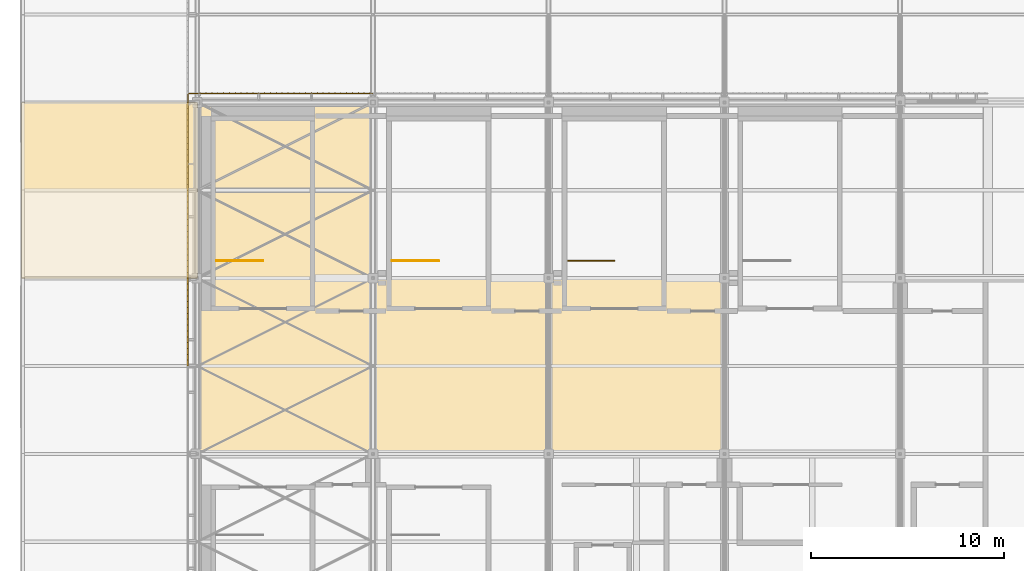
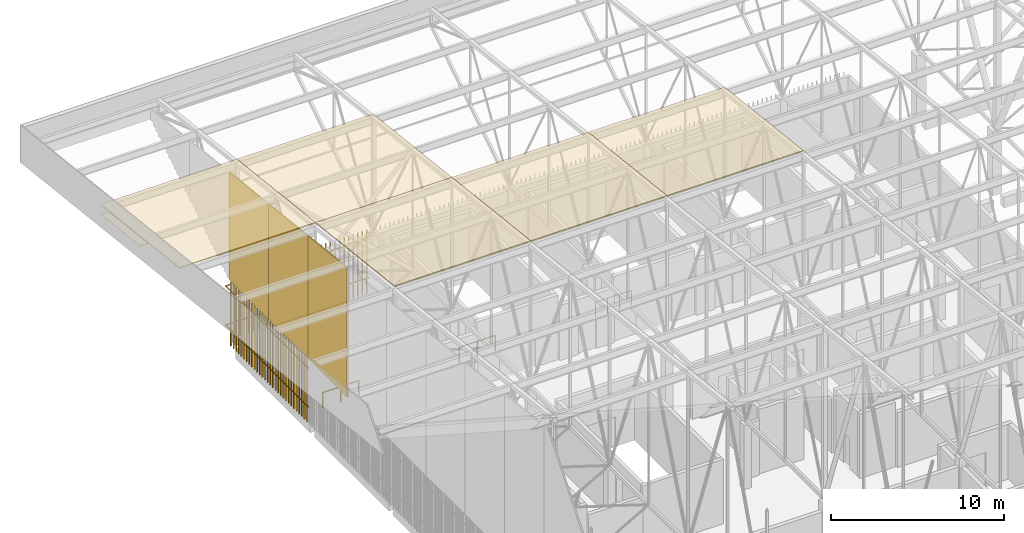
# One storey, part 474 of 500: 6 coverings, 5 shading devices, 3 railings.
"""IFC4 building model written with IfcOpenShell, lengths in metres."""

from ifc_helpers import new_model, si_unit, direction, frame, origin, origin_2d, place, context, subcontext, project, spatial, polyline, rectangle, circle, outline, extrude, material, layer, layer_set, type_object, element, save


model = new_model("IFC4")

# Units and contexts
model_context = context("Model", 3, precision=1e-05, world=origin(), true_north=direction((0.0, 1.0)))
body_context = subcontext(model_context, "Body", "Model", "MODEL_VIEW")
ifc_project = project(units=[si_unit("LENGTHUNIT", "METRE"), si_unit("AREAUNIT", "SQUARE_METRE"), si_unit("VOLUMEUNIT", "CUBIC_METRE"), si_unit("PLANEANGLEUNIT", "RADIAN"), si_unit("MASSUNIT", "GRAM", prefix="KILO")], contexts=[model_context])

# Site, building, storey
site_placement = place(None, origin())
site = spatial("IfcSite", under=ifc_project, at=site_placement, CompositionType="ELEMENT")
building_placement = place(site_placement, origin())
building = spatial("IfcBuilding", under=site, at=building_placement, Name="Shirokan Park Arena", CompositionType="ELEMENT")
storey_placement = place(building_placement, frame((0.0, 0.0, 29.1201171875)))
storey = spatial("IfcBuildingStorey", under=building, at=storey_placement, Name="L06", CompositionType="ELEMENT", Elevation=29.1201171875)

# Coverings
ifc_material_1 = material(Name="Bituminous roofing membrane")
ifc_layer_1 = layer(ifc_material_1, 0.010009765625, Name="Bituminous roofing membrane")
ifc_material_2 = material(Name="Mineral wool insulation")
ifc_layer_2 = layer(ifc_material_2, 0.050048828125, Name="Mineral wool insulation")
ifc_layer_set_1 = layer_set([ifc_layer_1, ifc_layer_2], Name="Bituminous roofing membrane + Mineral wool insulation")
covering_type_1 = type_object("IfcCoveringType", Name="Roofing membrane 60", PredefinedType="ROOFING", material=ifc_layer_set_1)
covering_1_placement = place(storey_placement, frame((-9.10009765625, 100.10009765625, 13.970703125), z_axis=(0.0, 0.113552605302, 0.993531985308), x_axis=(1.0, 0.0, 0.0)))
element("IfcCovering", 1, at=covering_1_placement, inside=storey, type_object=covering_type_1, Name="Roofing", PredefinedType="ROOFING", context=body_context, shape_type="SweptSolid", body=[
    extrude(outline(polyline([(0.0, 0.0), (9.10009765625, 0.0), (9.10009765625, 9.159094674549367), (0.0, 9.159094674549367), (0.0, 0.0)])), origin(), (0.0, 0.0, -1.0), 0.06005859375),
])
covering_2_placement = place(storey_placement, frame((0.0, 91.0, 15.0107421875), z_axis=(0.0, 0.113549598152, 0.993532328996), x_axis=(1.0, 0.0, 0.0)))
element("IfcCovering", 2, at=covering_2_placement, inside=storey, type_object=covering_type_1, Name="Roofing", PredefinedType="ROOFING", context=body_context, shape_type="SweptSolid", body=[
    extrude(outline(polyline([(0.0, 0.0), (9.10009765625, 0.0), (9.10009765625, 9.15933723611117), (0.0, 9.15933723611117), (0.0, 0.0)])), origin(), (0.0, 0.0, -1.0), 0.06005859375),
])
covering_3_placement = place(storey_placement, frame((0.0, 100.10009765625, 13.970703125), z_axis=(0.0, 0.113552605302, 0.993531985308), x_axis=(1.0, 0.0, 0.0)))
element("IfcCovering", 3, at=covering_3_placement, inside=storey, type_object=covering_type_1, Name="Roofing", PredefinedType="ROOFING", context=body_context, shape_type="SweptSolid", body=[
    extrude(outline(polyline([(0.0, 0.0), (9.10009765625, 0.0), (9.10009765625, 9.159094674549367), (0.0, 9.159094674549367), (0.0, 0.0)])), origin(), (0.0, 0.0, -1.0), 0.06005859375),
])
covering_4_placement = place(storey_placement, frame((9.10009765625, 91.0, 15.0107421875), z_axis=(0.0, 0.113549598152, 0.993532328996), x_axis=(1.0, 0.0, 0.0)))
element("IfcCovering", 4, at=covering_4_placement, inside=storey, type_object=covering_type_1, Name="Roofing", PredefinedType="ROOFING", context=body_context, shape_type="SweptSolid", body=[
    extrude(outline(polyline([(0.0, 0.0), (9.099853515625, 0.0), (9.099853515625, 9.15933723611117), (0.0, 9.15933723611117), (0.0, 0.0)])), origin(), (0.0, 0.0, -1.0), 0.06005859375),
])
covering_5_placement = place(storey_placement, frame((18.199951171875, 91.0, 15.0107421875), z_axis=(0.0, 0.113549598152, 0.993532328996), x_axis=(1.0, 0.0, 0.0)))
element("IfcCovering", 5, at=covering_5_placement, inside=storey, type_object=covering_type_1, Name="Roofing", PredefinedType="ROOFING", context=body_context, shape_type="SweptSolid", body=[
    extrude(outline(polyline([(0.0, 0.0), (9.10009765625, 0.0), (9.10009765625, 9.15933723611117), (0.0, 9.15933723611117), (0.0, 0.0)])), origin(), (0.0, 0.0, -1.0), 0.06005859375),
])

# Railings
ifc_material_3 = material(Name="Stainless steel", Category="steel")
railing_type = type_object("IfcRailingType", Name="Stair well guard 1100", PredefinedType="GUARDRAIL", material=ifc_material_3)
for number, where, name in (
    (6, (1.0, 101.0, 0.0), "Guard Exit Stair 4.A L06"),
    (7, (10.10009765625, 101.0, 0.0), "Guard Exit Stair 4.B L06"),
):
    element("IfcRailing", number, at=place(storey_placement, frame(where)), inside=storey, type_object=railing_type, Name=name, PredefinedType="GUARDRAIL", context=body_context, shape_type="SweptSolid", body=[
        extrude(circle(Radius=0.02490234375, at=origin_2d()), frame((0.0, 0.0, 1.0771484375), z_axis=(1.0, 0.0, 0.0), x_axis=(0.0, 1.0, 0.0)), (0.0, 0.0, 1.0), 2.39990234375),
        extrude(circle(Radius=0.02490234375, at=origin_2d()), origin(), (0.0, 0.0, 1.0), 1.052001953125),
        extrude(circle(Radius=0.02490234375, at=origin_2d()), frame((1.199951171875, 0.0, 0.0)), (0.0, 0.0, 1.0), 1.052001953125),
        extrude(circle(Radius=0.02490234375, at=origin_2d()), frame((2.39990234375, 0.0, 0.0)), (0.0, 0.0, 1.0), 1.052001953125),
    ])
railing_placement = place(storey_placement, frame((19.199951171875, 101.0, 0.0)))
element("IfcRailing", 8, at=railing_placement, inside=storey, type_object=railing_type, Name="Guard Exit Stair 4.C L06", PredefinedType="GUARDRAIL", context=body_context, shape_type="SweptSolid", body=[
    extrude(circle(Radius=0.02490234375, at=origin_2d()), frame((0.0, 0.0, 1.0771484375), z_axis=(1.0, 0.0, 0.0), x_axis=(0.0, 1.0, 0.0)), (0.0, 0.0, 1.0), 2.400146484375),
    extrude(circle(Radius=0.02490234375, at=origin_2d()), origin(), (0.0, 0.0, 1.0), 1.052001953125),
    extrude(circle(Radius=0.02490234375, at=origin_2d()), frame((0.800048828125, 0.0, 0.0)), (0.0, 0.0, 1.0), 1.052001953125),
    extrude(circle(Radius=0.02490234375, at=origin_2d()), frame((1.60009765625, 0.0, 0.0)), (0.0, 0.0, 1.0), 1.052001953125),
    extrude(circle(Radius=0.02490234375, at=origin_2d()), frame((2.400146484375, 0.0, 0.0)), (0.0, 0.0, 1.0), 1.052001953125),
])

# Covering
ifc_material_4 = material(Name="Timber soffit boards (cedar)", Category="wood")
ifc_layer_3 = layer(ifc_material_4, 0.030029296875)
ifc_layer_set_2 = layer_set([ifc_layer_3], Name="Timber soffit boards (cedar) 30 mm")
covering_type_2 = type_object("IfcCoveringType", Name="Timber boarded soffit panel", PredefinedType="CLADDING", material=ifc_layer_set_2)
covering_6_placement = place(storey_placement, origin())
element("IfcCovering", 9, at=covering_6_placement, inside=storey, type_object=covering_type_2, Name="Rake soffit west bay 26", PredefinedType="CLADDING", context=body_context, shape_type="SweptSolid", body=[
    extrude(outline(polyline([(0.0, 0.0), (0.11999999999999922, 0.0), (0.11999999999999922, -4.579617887990218), (0.0, -4.579617887990218), (0.0, 0.0)])), frame((-8.97998046875, 104.64990234375, 12.741943359375), z_axis=(0.0, 0.113546591161, 0.993532672656), x_axis=(-1.0, 0.0, 0.0)), (0.0, 0.0, -1.0), 0.030029296875),
    extrude(outline(polyline([(0.0, 0.0), (0.12, 0.0), (0.12, -4.579617887990218), (0.0, -4.579617887990218), (0.0, 0.0)])), frame((-0.2470703125, 109.199951171875, 12.221923828125), z_axis=(0.0, 0.113546591161, 0.993532672656), x_axis=(1.0, 0.0, 0.0)), (0.0, 0.0, -1.0), 0.030029296875),
    extrude(outline(polyline([(0.0, 0.0), (0.12078064455864267, 0.0), (0.12078064455864267, -8.733), (0.0, -8.733), (0.0, 0.0)])), frame((-0.2470703125, 109.199951171875, 12.221923828125), z_axis=(0.0, 0.11351156512, 0.993536675007), x_axis=(0.0, -0.993536675007, 0.11351156512)), (0.0, 0.0, -1.0), 0.030029296875),
    extrude(outline(polyline([(0.0, 0.0), (0.12078064455862855, 0.0), (0.12078064455862855, -8.733), (0.0, -8.733), (0.0, 0.0)])), frame((-8.97998046875, 104.64990234375, 12.741943359375), z_axis=(0.0, 0.11351156512, 0.993536675007), x_axis=(0.0, 0.993536675007, -0.11351156512)), (0.0, 0.0, -1.0), 0.030029296875),
    extrude(outline(polyline([(0.0, 0.0), (8.733, 0.0), (8.733, -0.18452428160000803), (0.0, -0.18452428160000803), (0.0, 0.0)])), frame((-8.97998046875, 104.953369140625, 12.707275390625), z_axis=(0.0, 0.113589386818, 0.99352778079), x_axis=(1.0, 0.0, 0.0)), (0.0, 0.0, -1.0), 0.030029296875),
    extrude(outline(polyline([(0.0, 0.0), (8.733, 0.0), (8.733, -0.3053137258624375), (0.0, -0.3053137258624375), (0.0, 0.0)])), frame((-8.97998046875, 105.256591796875, 12.672607421875), z_axis=(0.0, 0.113522573877, 0.993535417195), x_axis=(1.0, 0.0, 0.0)), (0.0, 0.0, -1.0), 0.030029296875),
    extrude(outline(polyline([(0.0, 0.0), (8.733, 0.0), (8.733, -0.30530492593471437), (0.0, -0.30530492593471437), (0.0, 0.0)])), frame((-8.97998046875, 105.56005859375, 12.637939453125), z_axis=(0.0, 0.113558600124, 0.99353130013), x_axis=(1.0, 0.0, 0.0)), (0.0, 0.0, -1.0), 0.030029296875),
    extrude(outline(polyline([(0.0, 0.0), (8.733, 0.0), (8.733, -0.3053049259347152), (0.0, -0.3053049259347152), (0.0, 0.0)])), frame((-8.97998046875, 105.86328125, 12.603271484375), z_axis=(0.0, 0.113558600124, 0.99353130013), x_axis=(1.0, 0.0, 0.0)), (0.0, 0.0, -1.0), 0.030029296875),
    extrude(outline(polyline([(0.0, 0.0), (8.733, 0.0), (8.733, -0.30531372586242256), (0.0, -0.30531372586242256), (0.0, 0.0)])), frame((-8.97998046875, 106.166748046875, 12.568603515625), z_axis=(0.0, 0.113522573877, 0.993535417195), x_axis=(1.0, 0.0, 0.0)), (0.0, 0.0, -1.0), 0.030029296875),
    extrude(outline(polyline([(0.0, 0.0), (8.733, 0.0), (8.733, -0.30530492593471437), (0.0, -0.30530492593471437), (0.0, 0.0)])), frame((-8.97998046875, 106.469970703125, 12.533935546875), z_axis=(0.0, 0.113558600124, 0.99353130013), x_axis=(1.0, 0.0, 0.0)), (0.0, 0.0, -1.0), 0.030029296875),
    extrude(outline(polyline([(0.0, 0.0), (8.733, 0.0), (8.733, -0.30530492593471514), (0.0, -0.30530492593471514), (0.0, 0.0)])), frame((-8.97998046875, 106.7734375, 12.499267578125), z_axis=(0.0, 0.113558600124, 0.99353130013), x_axis=(1.0, 0.0, 0.0)), (0.0, 0.0, -1.0), 0.030029296875),
    extrude(outline(polyline([(0.0, 0.0), (8.733, 0.0), (8.733, -0.30531372586242256), (0.0, -0.30531372586242256), (0.0, 0.0)])), frame((-8.97998046875, 107.07666015625, 12.464599609375), z_axis=(0.0, 0.113522573877, 0.993535417195), x_axis=(1.0, 0.0, 0.0)), (0.0, 0.0, -1.0), 0.030029296875),
    extrude(outline(polyline([(0.0, 0.0), (8.733, 0.0), (8.733, -0.3053049259347152), (0.0, -0.3053049259347152), (0.0, 0.0)])), frame((-8.97998046875, 107.3798828125, 12.429931640625), z_axis=(0.0, 0.113558600124, 0.99353130013), x_axis=(1.0, 0.0, 0.0)), (0.0, 0.0, -1.0), 0.030029296875),
    extrude(outline(polyline([(0.0, 0.0), (8.733, 0.0), (8.733, -0.30530492593471437), (0.0, -0.30530492593471437), (0.0, 0.0)])), frame((-8.97998046875, 107.683349609375, 12.395263671875), z_axis=(0.0, 0.113558600124, 0.99353130013), x_axis=(1.0, 0.0, 0.0)), (0.0, 0.0, -1.0), 0.030029296875),
    extrude(outline(polyline([(0.0, 0.0), (8.733, 0.0), (8.733, -0.3053137258624367), (0.0, -0.3053137258624367), (0.0, 0.0)])), frame((-8.97998046875, 107.986572265625, 12.360595703125), z_axis=(0.0, 0.113522573877, 0.993535417195), x_axis=(1.0, 0.0, 0.0)), (0.0, 0.0, -1.0), 0.030029296875),
    extrude(outline(polyline([(0.0, 0.0), (8.733, 0.0), (8.733, -0.30530492593471514), (0.0, -0.30530492593471514), (0.0, 0.0)])), frame((-8.97998046875, 108.2900390625, 12.325927734375), z_axis=(0.0, 0.113558600124, 0.99353130013), x_axis=(1.0, 0.0, 0.0)), (0.0, 0.0, -1.0), 0.030029296875),
    extrude(outline(polyline([(0.0, 0.0), (8.733, 0.0), (8.733, -0.3053049259347002), (0.0, -0.3053049259347002), (0.0, 0.0)])), frame((-8.97998046875, 108.59326171875, 12.291259765625), z_axis=(0.0, 0.113558600124, 0.99353130013), x_axis=(1.0, 0.0, 0.0)), (0.0, 0.0, -1.0), 0.030029296875),
    extrude(outline(polyline([(0.0, 0.0), (8.733, 0.0), (8.733, -0.3053137258624375), (0.0, -0.3053137258624375), (0.0, 0.0)])), frame((-8.97998046875, 108.896728515625, 12.256591796875), z_axis=(0.0, 0.113522573877, 0.993535417195), x_axis=(1.0, 0.0, 0.0)), (0.0, 0.0, -1.0), 0.030029296875),
    extrude(outline(polyline([(0.0, 0.0), (8.733, 0.0), (8.733, -0.18452428160000803), (0.0, -0.18452428160000803), (0.0, 0.0)])), frame((-8.97998046875, 109.080078125, 12.235595703125), z_axis=(0.0, 0.113589386818, 0.99352778079), x_axis=(1.0, 0.0, 0.0)), (0.0, 0.0, -1.0), 0.030029296875),
])

# Shading devices
ifc_material_5 = material(Name="Timber louvre veil (cedar)", Category="wood")
shading_device_type_1 = type_object("IfcShadingDeviceType", Name="Timber louvre veil panel", PredefinedType="JALOUSIE", material=ifc_material_5)
shading_device_1_placement = place(storey_placement, origin())
element("IfcShadingDevice", 10, at=shading_device_1_placement, inside=storey, type_object=shading_device_type_1, Name="Timber louvre veil north bay 16 L06", PredefinedType="JALOUSIE", context=body_context, shape_type="SweptSolid", body=[
    extrude(rectangle(XDim=0.050048828125, YDim=0.080078125, at=origin_2d()), frame((8.9482421875, 109.68505859375, 0.0), z_axis=(0.0, 0.0, 1.0), x_axis=(-1.0, 0.0, 0.0)), (0.0, 0.0, 1.0), 4.5),
    extrude(rectangle(XDim=0.050048828125, YDim=0.080078125, at=origin_2d()), frame((8.64501953125, 109.68505859375, 0.0), z_axis=(0.0, 0.0, 1.0), x_axis=(-1.0, 0.0, 0.0)), (0.0, 0.0, 1.0), 4.5),
    extrude(rectangle(XDim=0.050048828125, YDim=0.080078125, at=origin_2d()), frame((8.341552734375, 109.68505859375, 0.0), z_axis=(0.0, 0.0, 1.0), x_axis=(-1.0, 0.0, 0.0)), (0.0, 0.0, 1.0), 4.5),
    extrude(rectangle(XDim=0.050048828125, YDim=0.080078125, at=origin_2d()), frame((8.038330078125, 109.68505859375, 0.0), z_axis=(0.0, 0.0, 1.0), x_axis=(-1.0, 0.0, 0.0)), (0.0, 0.0, 1.0), 4.5),
    extrude(rectangle(XDim=0.050048828125, YDim=0.080078125, at=origin_2d()), frame((7.735107421875, 109.68505859375, 0.0), z_axis=(0.0, 0.0, 1.0), x_axis=(-1.0, 0.0, 0.0)), (0.0, 0.0, 1.0), 4.5),
    extrude(rectangle(XDim=0.050048828125, YDim=0.080078125, at=origin_2d()), frame((7.431640625, 109.68505859375, 0.0), z_axis=(0.0, 0.0, 1.0), x_axis=(-1.0, 0.0, 0.0)), (0.0, 0.0, 1.0), 4.5),
    extrude(rectangle(XDim=0.050048828125, YDim=0.080078125, at=origin_2d()), frame((7.12841796875, 109.68505859375, 0.0), z_axis=(0.0, 0.0, 1.0), x_axis=(-1.0, 0.0, 0.0)), (0.0, 0.0, 1.0), 4.5),
    extrude(rectangle(XDim=0.050048828125, YDim=0.080078125, at=origin_2d()), frame((6.824951171875, 109.68505859375, 0.0), z_axis=(0.0, 0.0, 1.0), x_axis=(-1.0, 0.0, 0.0)), (0.0, 0.0, 1.0), 4.5),
    extrude(rectangle(XDim=0.050048828125, YDim=0.080078125, at=origin_2d()), frame((6.521728515625, 109.68505859375, 0.0), z_axis=(0.0, 0.0, 1.0), x_axis=(-1.0, 0.0, 0.0)), (0.0, 0.0, 1.0), 4.5),
    extrude(rectangle(XDim=0.050048828125, YDim=0.080078125, at=origin_2d()), frame((6.21826171875, 109.68505859375, 0.0), z_axis=(0.0, 0.0, 1.0), x_axis=(-1.0, 0.0, 0.0)), (0.0, 0.0, 1.0), 4.5),
    extrude(rectangle(XDim=0.050048828125, YDim=0.080078125, at=origin_2d()), frame((5.9150390625, 109.68505859375, 0.0), z_axis=(0.0, 0.0, 1.0), x_axis=(-1.0, 0.0, 0.0)), (0.0, 0.0, 1.0), 4.5),
    extrude(rectangle(XDim=0.050048828125, YDim=0.080078125, at=origin_2d()), frame((5.611572265625, 109.68505859375, 0.0), z_axis=(0.0, 0.0, 1.0), x_axis=(-1.0, 0.0, 0.0)), (0.0, 0.0, 1.0), 4.5),
    extrude(rectangle(XDim=0.050048828125, YDim=0.080078125, at=origin_2d()), frame((5.308349609375, 109.68505859375, 0.0), z_axis=(0.0, 0.0, 1.0), x_axis=(-1.0, 0.0, 0.0)), (0.0, 0.0, 1.0), 4.5),
    extrude(rectangle(XDim=0.050048828125, YDim=0.080078125, at=origin_2d()), frame((5.0048828125, 109.68505859375, 0.0), z_axis=(0.0, 0.0, 1.0), x_axis=(-1.0, 0.0, 0.0)), (0.0, 0.0, 1.0), 4.5),
    extrude(rectangle(XDim=0.050048828125, YDim=0.080078125, at=origin_2d()), frame((4.70166015625, 109.68505859375, 0.0), z_axis=(0.0, 0.0, 1.0), x_axis=(-1.0, 0.0, 0.0)), (0.0, 0.0, 1.0), 4.5),
    extrude(rectangle(XDim=0.050048828125, YDim=0.080078125, at=origin_2d()), frame((4.3984375, 109.68505859375, 0.0), z_axis=(0.0, 0.0, 1.0), x_axis=(-1.0, 0.0, 0.0)), (0.0, 0.0, 1.0), 4.5),
    extrude(rectangle(XDim=0.050048828125, YDim=0.080078125, at=origin_2d()), frame((4.094970703125, 109.68505859375, 0.0), z_axis=(0.0, 0.0, 1.0), x_axis=(-1.0, 0.0, 0.0)), (0.0, 0.0, 1.0), 4.5),
    extrude(rectangle(XDim=0.050048828125, YDim=0.080078125, at=origin_2d()), frame((3.791748046875, 109.68505859375, 0.0), z_axis=(0.0, 0.0, 1.0), x_axis=(-1.0, 0.0, 0.0)), (0.0, 0.0, 1.0), 4.5),
    extrude(rectangle(XDim=0.050048828125, YDim=0.080078125, at=origin_2d()), frame((3.48828125, 109.68505859375, 0.0), z_axis=(0.0, 0.0, 1.0), x_axis=(-1.0, 0.0, 0.0)), (0.0, 0.0, 1.0), 4.5),
    extrude(rectangle(XDim=0.050048828125, YDim=0.080078125, at=origin_2d()), frame((3.18505859375, 109.68505859375, 0.0), z_axis=(0.0, 0.0, 1.0), x_axis=(-1.0, 0.0, 0.0)), (0.0, 0.0, 1.0), 4.5),
    extrude(rectangle(XDim=0.050048828125, YDim=0.080078125, at=origin_2d()), frame((2.881591796875, 109.68505859375, 0.0), z_axis=(0.0, 0.0, 1.0), x_axis=(-1.0, 0.0, 0.0)), (0.0, 0.0, 1.0), 4.5),
    extrude(rectangle(XDim=0.050048828125, YDim=0.080078125, at=origin_2d()), frame((2.578369140625, 109.68505859375, 0.0), z_axis=(0.0, 0.0, 1.0), x_axis=(-1.0, 0.0, 0.0)), (0.0, 0.0, 1.0), 4.5),
    extrude(rectangle(XDim=0.050048828125, YDim=0.080078125, at=origin_2d()), frame((2.27490234375, 109.68505859375, 0.0), z_axis=(0.0, 0.0, 1.0), x_axis=(-1.0, 0.0, 0.0)), (0.0, 0.0, 1.0), 4.5),
    extrude(rectangle(XDim=0.050048828125, YDim=0.080078125, at=origin_2d()), frame((1.9716796875, 109.68505859375, 0.0), z_axis=(0.0, 0.0, 1.0), x_axis=(-1.0, 0.0, 0.0)), (0.0, 0.0, 1.0), 4.5),
    extrude(rectangle(XDim=0.050048828125, YDim=0.080078125, at=origin_2d()), frame((1.668212890625, 109.68505859375, 0.0), z_axis=(0.0, 0.0, 1.0), x_axis=(-1.0, 0.0, 0.0)), (0.0, 0.0, 1.0), 4.5),
    extrude(rectangle(XDim=0.050048828125, YDim=0.080078125, at=origin_2d()), frame((1.364990234375, 109.68505859375, 0.0), z_axis=(0.0, 0.0, 1.0), x_axis=(-1.0, 0.0, 0.0)), (0.0, 0.0, 1.0), 4.5),
    extrude(rectangle(XDim=0.050048828125, YDim=0.080078125, at=origin_2d()), frame((1.061767578125, 109.68505859375, 0.0), z_axis=(0.0, 0.0, 1.0), x_axis=(-1.0, 0.0, 0.0)), (0.0, 0.0, 1.0), 4.5),
    extrude(rectangle(XDim=0.050048828125, YDim=0.080078125, at=origin_2d()), frame((0.75830078125, 109.68505859375, 0.0), z_axis=(0.0, 0.0, 1.0), x_axis=(-1.0, 0.0, 0.0)), (0.0, 0.0, 1.0), 4.5),
    extrude(rectangle(XDim=0.050048828125, YDim=0.080078125, at=origin_2d()), frame((0.455078125, 109.68505859375, 0.0), z_axis=(0.0, 0.0, 1.0), x_axis=(-1.0, 0.0, 0.0)), (0.0, 0.0, 1.0), 4.5),
    extrude(rectangle(XDim=0.050048828125, YDim=0.080078125, at=origin_2d()), frame((0.151611328125, 109.68505859375, 0.0), z_axis=(0.0, 0.0, 1.0), x_axis=(-1.0, 0.0, 0.0)), (0.0, 0.0, 1.0), 4.5),
    extrude(rectangle(XDim=9.625, YDim=0.050048828125, at=origin_2d()), frame((4.28759765625, 109.669921875, 1.059814453125), z_axis=(0.0, 0.0, 1.0), x_axis=(-1.0, 0.0, 0.0)), (0.0, 0.0, 1.0), 0.080078125),
    extrude(rectangle(XDim=9.625, YDim=0.050048828125, at=origin_2d()), frame((4.28759765625, 109.669921875, 3.809814453125), z_axis=(0.0, 0.0, 1.0), x_axis=(-1.0, 0.0, 0.0)), (0.0, 0.0, 1.0), 0.080078125),
])
shading_device_2_placement = place(storey_placement, origin())
element("IfcShadingDevice", 11, at=shading_device_2_placement, inside=storey, type_object=shading_device_type_1, Name="Timber louvre veil west bay 1 L06", PredefinedType="JALOUSIE", context=body_context, shape_type="SweptSolid", body=[
    extrude(rectangle(XDim=0.050048828125, YDim=0.080078125, at=origin_2d()), frame((-0.485107421875, 109.04833984375, 0.0), z_axis=(0.0, 0.0, 1.0), x_axis=(0.0, -1.0, 0.0)), (0.0, 0.0, 1.0), 4.5),
    extrude(rectangle(XDim=0.050048828125, YDim=0.080078125, at=origin_2d()), frame((-0.485107421875, 108.7451171875, 0.0), z_axis=(0.0, 0.0, 1.0), x_axis=(0.0, -1.0, 0.0)), (0.0, 0.0, 1.0), 4.5),
    extrude(rectangle(XDim=0.050048828125, YDim=0.080078125, at=origin_2d()), frame((-0.485107421875, 108.441650390625, 0.0), z_axis=(0.0, 0.0, 1.0), x_axis=(0.0, -1.0, 0.0)), (0.0, 0.0, 1.0), 4.5),
    extrude(rectangle(XDim=0.050048828125, YDim=0.080078125, at=origin_2d()), frame((-0.485107421875, 108.138427734375, 0.0), z_axis=(0.0, 0.0, 1.0), x_axis=(0.0, -1.0, 0.0)), (0.0, 0.0, 1.0), 4.5),
    extrude(rectangle(XDim=0.050048828125, YDim=0.080078125, at=origin_2d()), frame((-0.485107421875, 107.8349609375, 0.0), z_axis=(0.0, 0.0, 1.0), x_axis=(0.0, -1.0, 0.0)), (0.0, 0.0, 1.0), 4.5),
    extrude(rectangle(XDim=0.050048828125, YDim=0.080078125, at=origin_2d()), frame((-0.485107421875, 107.53173828125, 0.0), z_axis=(0.0, 0.0, 1.0), x_axis=(0.0, -1.0, 0.0)), (0.0, 0.0, 1.0), 4.5),
    extrude(rectangle(XDim=0.050048828125, YDim=0.080078125, at=origin_2d()), frame((-0.485107421875, 107.228271484375, 0.0), z_axis=(0.0, 0.0, 1.0), x_axis=(0.0, -1.0, 0.0)), (0.0, 0.0, 1.0), 4.5),
    extrude(rectangle(XDim=0.050048828125, YDim=0.080078125, at=origin_2d()), frame((-0.485107421875, 106.925048828125, 0.0), z_axis=(0.0, 0.0, 1.0), x_axis=(0.0, -1.0, 0.0)), (0.0, 0.0, 1.0), 4.5),
    extrude(rectangle(XDim=0.050048828125, YDim=0.080078125, at=origin_2d()), frame((-0.485107421875, 106.62158203125, 0.0), z_axis=(0.0, 0.0, 1.0), x_axis=(0.0, -1.0, 0.0)), (0.0, 0.0, 1.0), 4.5),
    extrude(rectangle(XDim=0.050048828125, YDim=0.080078125, at=origin_2d()), frame((-0.485107421875, 106.318359375, 0.0), z_axis=(0.0, 0.0, 1.0), x_axis=(0.0, -1.0, 0.0)), (0.0, 0.0, 1.0), 4.5),
    extrude(rectangle(XDim=0.050048828125, YDim=0.080078125, at=origin_2d()), frame((-0.485107421875, 106.014892578125, 0.0), z_axis=(0.0, 0.0, 1.0), x_axis=(0.0, -1.0, 0.0)), (0.0, 0.0, 1.0), 4.5),
    extrude(rectangle(XDim=0.050048828125, YDim=0.080078125, at=origin_2d()), frame((-0.485107421875, 105.711669921875, 0.0), z_axis=(0.0, 0.0, 1.0), x_axis=(0.0, -1.0, 0.0)), (0.0, 0.0, 1.0), 4.5),
    extrude(rectangle(XDim=0.050048828125, YDim=0.080078125, at=origin_2d()), frame((-0.485107421875, 105.408447265625, 0.0), z_axis=(0.0, 0.0, 1.0), x_axis=(0.0, -1.0, 0.0)), (0.0, 0.0, 1.0), 4.5),
    extrude(rectangle(XDim=0.050048828125, YDim=0.080078125, at=origin_2d()), frame((-0.485107421875, 105.10498046875, 0.0), z_axis=(0.0, 0.0, 1.0), x_axis=(0.0, -1.0, 0.0)), (0.0, 0.0, 1.0), 4.5),
    extrude(rectangle(XDim=0.050048828125, YDim=0.080078125, at=origin_2d()), frame((-0.485107421875, 104.8017578125, 0.0), z_axis=(0.0, 0.0, 1.0), x_axis=(0.0, -1.0, 0.0)), (0.0, 0.0, 1.0), 4.5),
    extrude(rectangle(XDim=0.050048828125, YDim=0.080078125, at=origin_2d()), frame((-0.485107421875, 104.498291015625, 0.0), z_axis=(0.0, 0.0, 1.0), x_axis=(0.0, -1.0, 0.0)), (0.0, 0.0, 1.0), 4.5),
    extrude(rectangle(XDim=0.050048828125, YDim=0.080078125, at=origin_2d()), frame((-0.485107421875, 104.195068359375, 0.0), z_axis=(0.0, 0.0, 1.0), x_axis=(0.0, -1.0, 0.0)), (0.0, 0.0, 1.0), 4.5),
    extrude(rectangle(XDim=0.050048828125, YDim=0.080078125, at=origin_2d()), frame((-0.485107421875, 103.8916015625, 0.0), z_axis=(0.0, 0.0, 1.0), x_axis=(0.0, -1.0, 0.0)), (0.0, 0.0, 1.0), 4.5),
    extrude(rectangle(XDim=0.050048828125, YDim=0.080078125, at=origin_2d()), frame((-0.485107421875, 103.58837890625, 0.0), z_axis=(0.0, 0.0, 1.0), x_axis=(0.0, -1.0, 0.0)), (0.0, 0.0, 1.0), 4.5),
    extrude(rectangle(XDim=0.050048828125, YDim=0.080078125, at=origin_2d()), frame((-0.485107421875, 103.284912109375, 0.0), z_axis=(0.0, 0.0, 1.0), x_axis=(0.0, -1.0, 0.0)), (0.0, 0.0, 1.0), 4.5),
    extrude(rectangle(XDim=0.050048828125, YDim=0.080078125, at=origin_2d()), frame((-0.485107421875, 102.981689453125, 0.0), z_axis=(0.0, 0.0, 1.0), x_axis=(0.0, -1.0, 0.0)), (0.0, 0.0, 1.0), 4.5),
    extrude(rectangle(XDim=0.050048828125, YDim=0.080078125, at=origin_2d()), frame((-0.485107421875, 102.67822265625, 0.0), z_axis=(0.0, 0.0, 1.0), x_axis=(0.0, -1.0, 0.0)), (0.0, 0.0, 1.0), 4.5),
    extrude(rectangle(XDim=0.050048828125, YDim=0.080078125, at=origin_2d()), frame((-0.485107421875, 102.375, 0.0), z_axis=(0.0, 0.0, 1.0), x_axis=(0.0, -1.0, 0.0)), (0.0, 0.0, 1.0), 4.5),
    extrude(rectangle(XDim=0.050048828125, YDim=0.080078125, at=origin_2d()), frame((-0.485107421875, 102.07177734375, 0.0), z_axis=(0.0, 0.0, 1.0), x_axis=(0.0, -1.0, 0.0)), (0.0, 0.0, 1.0), 4.5),
    extrude(rectangle(XDim=0.050048828125, YDim=0.080078125, at=origin_2d()), frame((-0.485107421875, 101.768310546875, 0.0), z_axis=(0.0, 0.0, 1.0), x_axis=(0.0, -1.0, 0.0)), (0.0, 0.0, 1.0), 4.5),
    extrude(rectangle(XDim=0.050048828125, YDim=0.080078125, at=origin_2d()), frame((-0.485107421875, 101.465087890625, 0.0), z_axis=(0.0, 0.0, 1.0), x_axis=(0.0, -1.0, 0.0)), (0.0, 0.0, 1.0), 4.5),
    extrude(rectangle(XDim=0.050048828125, YDim=0.080078125, at=origin_2d()), frame((-0.485107421875, 101.16162109375, 0.0), z_axis=(0.0, 0.0, 1.0), x_axis=(0.0, -1.0, 0.0)), (0.0, 0.0, 1.0), 4.5),
    extrude(rectangle(XDim=0.050048828125, YDim=0.080078125, at=origin_2d()), frame((-0.485107421875, 100.8583984375, 0.0), z_axis=(0.0, 0.0, 1.0), x_axis=(0.0, -1.0, 0.0)), (0.0, 0.0, 1.0), 4.5),
    extrude(rectangle(XDim=0.050048828125, YDim=0.080078125, at=origin_2d()), frame((-0.485107421875, 100.554931640625, 0.0), z_axis=(0.0, 0.0, 1.0), x_axis=(0.0, -1.0, 0.0)), (0.0, 0.0, 1.0), 4.5),
    extrude(rectangle(XDim=0.050048828125, YDim=0.080078125, at=origin_2d()), frame((-0.485107421875, 100.251708984375, 0.0), z_axis=(0.0, 0.0, 1.0), x_axis=(0.0, -1.0, 0.0)), (0.0, 0.0, 1.0), 4.5),
    extrude(rectangle(XDim=9.544921875, YDim=0.050048828125, at=origin_2d()), frame((-0.469970703125, 104.87255859375, 1.059814453125), z_axis=(0.0, 0.0, 1.0), x_axis=(0.0, -1.0, 0.0)), (0.0, 0.0, 1.0), 0.080078125),
    extrude(rectangle(XDim=9.544921875, YDim=0.050048828125, at=origin_2d()), frame((-0.469970703125, 104.87255859375, 3.809814453125), z_axis=(0.0, 0.0, 1.0), x_axis=(0.0, -1.0, 0.0)), (0.0, 0.0, 1.0), 0.080078125),
])
shading_device_type_2 = type_object("IfcShadingDeviceType", Name="Timber louvre veil panel, gable band, closed", PredefinedType="JALOUSIE", material=ifc_material_5)
shading_device_3_placement = place(storey_placement, origin())
element("IfcShadingDevice", 12, at=shading_device_3_placement, inside=storey, type_object=shading_device_type_2, Name="Timber louvre veil gable band west bay 24", PredefinedType="JALOUSIE", context=body_context, shape_type="SweptSolid", body=[
    extrude(outline(polyline([(100.10009765625, 4.575927734375), (100.10009765625, 13.23193359375), (99.796630859375, 13.23193359375), (99.796630859375, 13.2666015625), (99.493408203125, 13.2666015625), (99.493408203125, 13.30126953125), (99.18994140625, 13.30126953125), (99.18994140625, 13.3359375), (98.88671875, 13.3359375), (98.88671875, 13.37060546875), (98.583251953125, 13.37060546875), (98.583251953125, 13.4052734375), (98.280029296875, 13.4052734375), (98.280029296875, 13.43994140625), (97.9765625, 13.43994140625), (97.9765625, 13.474609375), (97.67333984375, 13.474609375), (97.67333984375, 13.50927734375), (97.3701171875, 13.50927734375), (97.3701171875, 13.5439453125), (97.066650390625, 13.5439453125), (97.066650390625, 13.57861328125), (96.763427734375, 13.57861328125), (96.763427734375, 13.61328125), (96.4599609375, 13.61328125), (96.4599609375, 13.64794921875), (96.15673828125, 13.64794921875), (96.15673828125, 13.6826171875), (95.853271484375, 13.6826171875), (95.853271484375, 13.71728515625), (95.550048828125, 13.71728515625), (95.550048828125, 4.575927734375), (100.10009765625, 4.575927734375)])), frame((-0.525146484375, 0.0, 0.0), z_axis=(1.0, 0.0, 0.0), x_axis=(0.0, 1.0, 0.0)), (0.0, 0.0, 1.0), 0.080078125),
    extrude(rectangle(XDim=0.050048828125, YDim=4.550048828125, at=origin_2d()), frame((-0.469970703125, 97.824951171875, 4.98583984375), z_axis=(0.0, 0.0, 1.0), x_axis=(1.0, 0.0, 0.0)), (0.0, 0.0, 1.0), 0.080078125),
    extrude(rectangle(XDim=0.050048828125, YDim=4.550048828125, at=origin_2d()), frame((-0.469970703125, 97.824951171875, 8.86376953125), z_axis=(0.0, 0.0, 1.0), x_axis=(1.0, 0.0, 0.0)), (0.0, 0.0, 1.0), 0.080078125),
    extrude(rectangle(XDim=0.050048828125, YDim=4.550048828125, at=origin_2d()), frame((-0.469970703125, 97.824951171875, 13.091796875), z_axis=(0.0, 0.0, 1.0), x_axis=(1.0, 0.0, 0.0)), (0.0, 0.0, 1.0), 0.080078125),
])
shading_device_4_placement = place(storey_placement, origin())
element("IfcShadingDevice", 13, at=shading_device_4_placement, inside=storey, type_object=shading_device_type_2, Name="Timber louvre veil gable band west bay 25", PredefinedType="JALOUSIE", context=body_context, shape_type="SweptSolid", body=[
    extrude(outline(polyline([(104.64990234375, 4.575927734375), (104.64990234375, 12.7119140625), (104.3466796875, 12.7119140625), (104.3466796875, 12.74658203125), (104.043212890625, 12.74658203125), (104.043212890625, 12.78125), (103.739990234375, 12.78125), (103.739990234375, 12.81591796875), (103.436767578125, 12.81591796875), (103.436767578125, 12.8505859375), (103.13330078125, 12.8505859375), (103.13330078125, 12.88525390625), (102.830078125, 12.88525390625), (102.830078125, 12.919921875), (102.526611328125, 12.919921875), (102.526611328125, 12.95458984375), (102.223388671875, 12.95458984375), (102.223388671875, 12.9892578125), (101.919921875, 12.9892578125), (101.919921875, 13.02392578125), (101.61669921875, 13.02392578125), (101.61669921875, 13.05859375), (101.313232421875, 13.05859375), (101.313232421875, 13.09326171875), (101.010009765625, 13.09326171875), (101.010009765625, 13.1279296875), (100.706787109375, 13.1279296875), (100.706787109375, 13.16259765625), (100.4033203125, 13.16259765625), (100.4033203125, 13.197265625), (100.10009765625, 13.197265625), (100.10009765625, 4.575927734375), (104.64990234375, 4.575927734375)])), frame((-0.525146484375, 0.0, 0.0), z_axis=(1.0, 0.0, 0.0), x_axis=(0.0, 1.0, 0.0)), (0.0, 0.0, 1.0), 0.080078125),
    extrude(rectangle(XDim=0.050048828125, YDim=4.550048828125, at=origin_2d()), frame((-0.469970703125, 102.375, 4.98583984375), z_axis=(0.0, 0.0, 1.0), x_axis=(1.0, 0.0, 0.0)), (0.0, 0.0, 1.0), 0.080078125),
    extrude(rectangle(XDim=0.050048828125, YDim=4.550048828125, at=origin_2d()), frame((-0.469970703125, 102.375, 8.603759765625), z_axis=(0.0, 0.0, 1.0), x_axis=(1.0, 0.0, 0.0)), (0.0, 0.0, 1.0), 0.080078125),
    extrude(rectangle(XDim=0.050048828125, YDim=4.550048828125, at=origin_2d()), frame((-0.469970703125, 102.375, 12.57177734375), z_axis=(0.0, 0.0, 1.0), x_axis=(1.0, 0.0, 0.0)), (0.0, 0.0, 1.0), 0.080078125),
])
shading_device_5_placement = place(storey_placement, origin())
element("IfcShadingDevice", 14, at=shading_device_5_placement, inside=storey, type_object=shading_device_type_2, Name="Timber louvre veil gable band west bay 26", PredefinedType="JALOUSIE", context=body_context, shape_type="SweptSolid", body=[
    extrude(outline(polyline([(109.199951171875, 4.575927734375), (109.199951171875, 12.19189453125), (108.896728515625, 12.19189453125), (108.896728515625, 12.2265625), (108.59326171875, 12.2265625), (108.59326171875, 12.26123046875), (108.2900390625, 12.26123046875), (108.2900390625, 12.2958984375), (107.986572265625, 12.2958984375), (107.986572265625, 12.33056640625), (107.683349609375, 12.33056640625), (107.683349609375, 12.365234375), (107.3798828125, 12.365234375), (107.3798828125, 12.39990234375), (107.07666015625, 12.39990234375), (107.07666015625, 12.4345703125), (106.7734375, 12.4345703125), (106.7734375, 12.46923828125), (106.469970703125, 12.46923828125), (106.469970703125, 12.50390625), (106.166748046875, 12.50390625), (106.166748046875, 12.53857421875), (105.86328125, 12.53857421875), (105.86328125, 12.5732421875), (105.56005859375, 12.5732421875), (105.56005859375, 12.60791015625), (105.256591796875, 12.60791015625), (105.256591796875, 12.642578125), (104.953369140625, 12.642578125), (104.953369140625, 12.67724609375), (104.64990234375, 12.67724609375), (104.64990234375, 4.575927734375), (109.199951171875, 4.575927734375)])), frame((-0.525146484375, 0.0, 0.0), z_axis=(1.0, 0.0, 0.0), x_axis=(0.0, 1.0, 0.0)), (0.0, 0.0, 1.0), 0.080078125),
    extrude(rectangle(XDim=0.050048828125, YDim=4.550048828125, at=origin_2d()), frame((-0.469970703125, 106.925048828125, 4.98583984375), z_axis=(0.0, 0.0, 1.0), x_axis=(1.0, 0.0, 0.0)), (0.0, 0.0, 1.0), 0.080078125),
    extrude(rectangle(XDim=0.050048828125, YDim=4.550048828125, at=origin_2d()), frame((-0.469970703125, 106.925048828125, 8.34375), z_axis=(0.0, 0.0, 1.0), x_axis=(1.0, 0.0, 0.0)), (0.0, 0.0, 1.0), 0.080078125),
    extrude(rectangle(XDim=0.050048828125, YDim=4.550048828125, at=origin_2d()), frame((-0.469970703125, 106.925048828125, 12.0517578125), z_axis=(0.0, 0.0, 1.0), x_axis=(1.0, 0.0, 0.0)), (0.0, 0.0, 1.0), 0.080078125),
])

save(model, "model.ifc")
